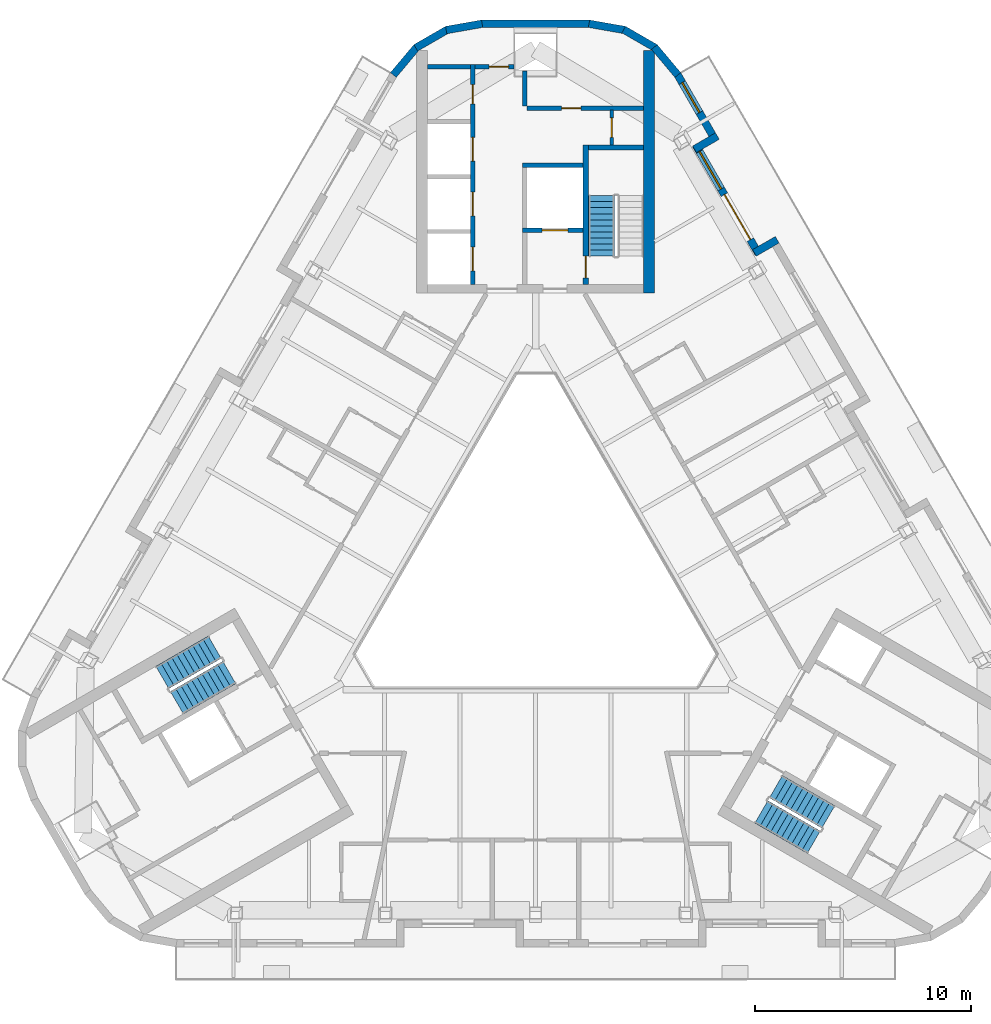
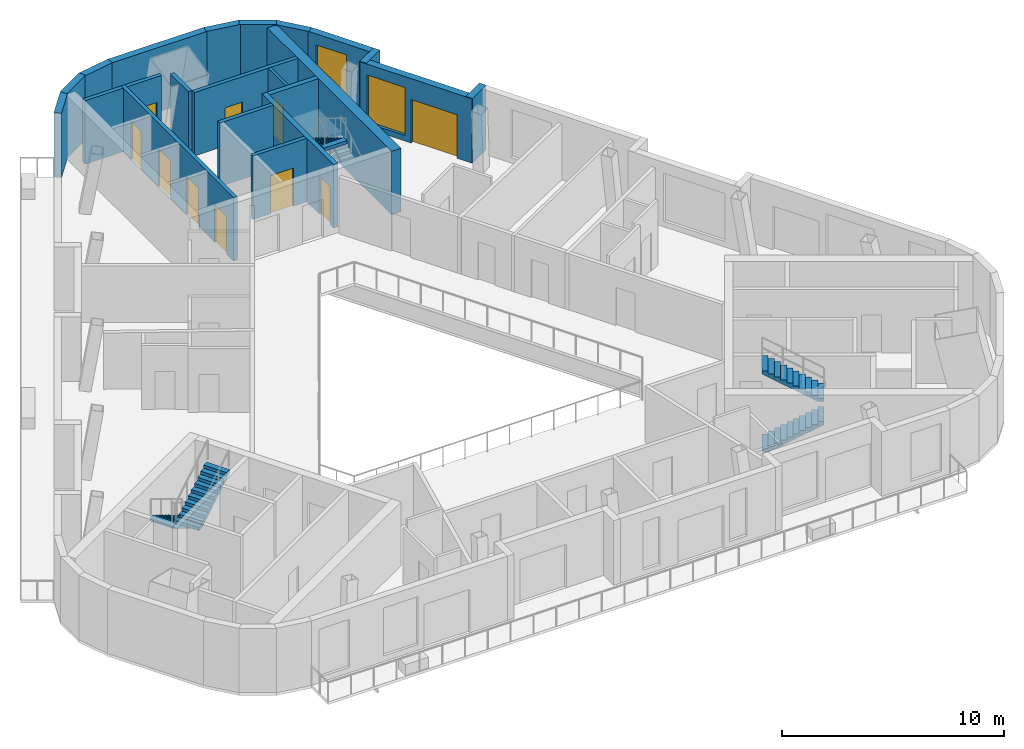
# One storey, part 7 of 13: 22 walls, 10 doors, 5 stair flights, 2 windows, 12 openings, 3 elements without a shape of their own.
"""IFC4 building model written with IfcOpenShell, lengths in metres."""

from ifc_helpers import new_model, si_unit, direction, frame, frame_2d, origin, place, context, subcontext, project, spatial, polyline, rectangle, outline, extrude, material, layer, layer_set, type_object, element, fill, aggregate, save


model = new_model("IFC4")

# Units and contexts
model_context = context("Model", 3, precision=1e-05, world=origin(), true_north=direction((0.0, 1.0)))
body_context = subcontext(model_context, "Body", "Model", "MODEL_VIEW")
ifc_project = project(units=[si_unit("LENGTHUNIT", "METRE"), si_unit("AREAUNIT", "SQUARE_METRE"), si_unit("VOLUMEUNIT", "CUBIC_METRE"), si_unit("PLANEANGLEUNIT", "RADIAN"), si_unit("MASSUNIT", "GRAM", prefix="KILO")], contexts=[model_context])

# Site, building, storey
site_placement = place(None, origin())
site = spatial("IfcSite", under=ifc_project, at=site_placement, CompositionType="ELEMENT")
building_placement = place(site_placement, origin())
building = spatial("IfcBuilding", under=site, at=building_placement, Name="Apuvela Tower Hotel", CompositionType="ELEMENT")
storey_placement = place(building_placement, frame((0.0, 0.0, 298.5)))
storey = spatial("IfcBuildingStorey", under=building, at=storey_placement, Name="L74", CompositionType="ELEMENT", Elevation=298.5)

# Wall
ifc_material_1 = material(Name="Concrete C50/60", Category="concrete")
ifc_layer_1 = layer(ifc_material_1, 0.5)
ifc_layer_set_1 = layer_set([ifc_layer_1], Name="COR-WALL-CORE-500")
wall_type_1 = type_object("IfcWallType", Name="COR-WALL-CORE-500", PredefinedType="SHEAR", material=ifc_layer_set_1)
wall_1_placement = place(storey_placement, frame((5.25, 12.89990234375, 0.0), z_axis=(0.0, 0.0, 1.0), x_axis=(0.0, 1.0, 0.0)))
element("IfcWall", 1, at=wall_1_placement, inside=storey, type_object=wall_type_1, Name="Core wall N", PredefinedType="SHEAR", context=body_context, shape_type="SweptSolid", body=[
    extrude(rectangle(XDim=11.2216796875, YDim=0.5, at=frame_2d((5.61083984375, 0.0))), origin(), (0.0, 0.0, 1.0), 3.5),
])

# Wall, opening, door
ifc_material_2 = material(Name="Blockwork 150 mm plastered", Category="masonry")
ifc_layer_2 = layer(ifc_material_2, 0.14990234375)
ifc_layer_set_2 = layer_set([ifc_layer_2], Name="COR-WALL-PART-150")
wall_type_2 = type_object("IfcWallType", Name="COR-WALL-PART-150", PredefinedType="PARTITIONING", material=ifc_layer_set_2)
wall_2_placement = place(storey_placement, frame((3.52490234375, 19.75, 0.0), z_axis=(0.0, 0.0, 1.0), x_axis=(0.0, 1.0, 0.0)))
wall_2 = element("IfcWall", 2, at=wall_2_placement, inside=storey, type_object=wall_type_2, Name="Partition N", PredefinedType="PARTITIONING", context=body_context, shape_type="SweptSolid", body=[
    extrude(rectangle(XDim=1.60009765625, YDim=0.14990234375, at=frame_2d((0.800048828125, 0.0))), origin(), (0.0, 0.0, 1.0), 3.5),
])
opening_1_placement = place(wall_2_placement, frame((0.35009765625, 0.0, 0.0)))
opening_1 = element("IfcOpeningElement", 3, at=opening_1_placement, cuts=wall_2, Name="Opening N-RD", PredefinedType="OPENING", context=body_context, shape_type="SweptSolid", body=[
    extrude(rectangle(XDim=0.89990234375, YDim=2.10009765625, at=frame_2d((0.449951171875, 1.050048828125))), frame((0.0, 0.0849609375, 0.0), z_axis=(0.0, -1.0, 0.0), x_axis=(1.0, 0.0, 0.0)), (0.0, 0.0, 1.0), 0.169921875),
])
ifc_material_3 = material(Name="Steel access door, powder coated", Category="steel")
door_type_1 = type_object("IfcDoorType", Name="COR-RD-900", OperationType="NOTDEFINED", PredefinedType="DOOR", material=ifc_material_3)
door_1_placement = place(opening_1_placement, frame((0.89990234375, 0.0, 0.0), z_axis=(0.0, 0.0, 1.0), x_axis=(-1.0, 0.0, 0.0)))
door_1 = element("IfcDoor", 4, at=door_1_placement, inside=storey, type_object=door_type_1, Name="Riser door N-RD", OperationType="SINGLE_SWING_RIGHT", OverallHeight=2.10009765625, OverallWidth=0.89990234375, PredefinedType="DOOR", context=body_context, shape_type="SweptSolid", body=[
    extrude(rectangle(XDim=0.89990234375, YDim=2.10009765625, at=frame_2d((0.449951171875, 1.050048828125))), frame((0.0, 0.02490234375, 0.0), z_axis=(0.0, -1.0, 0.0), x_axis=(1.0, 0.0, 0.0)), (0.0, 0.0, 1.0), 0.050048828125),
])
fill(opening_1, door_1)

ifc_material_4 = material(Name="Blockwork 200 mm plastered", Category="masonry")
ifc_layer_3 = layer(ifc_material_4, 0.199951171875)
ifc_layer_set_3 = layer_set([ifc_layer_3], Name="COR-WALL-PART-200")
wall_type_3 = type_object("IfcWallType", Name="COR-WALL-PART-200", PredefinedType="PARTITIONING", material=ifc_layer_set_3)
wall_3_placement = place(storey_placement, frame((5.0, 21.449951171875, 0.0), z_axis=(0.0, 0.0, 1.0), x_axis=(-1.0, 0.0, 0.0)))
wall_3 = element("IfcWall", 5, at=wall_3_placement, inside=storey, type_object=wall_type_3, Name="Partition N", PredefinedType="PARTITIONING", context=body_context, shape_type="SweptSolid", body=[
    extrude(rectangle(XDim=5.39990234375, YDim=0.199951171875, at=frame_2d((2.699951171875, 0.0))), origin(), (0.0, 0.0, 1.0), 3.5),
])
opening_2_placement = place(wall_3_placement, frame((2.89990234375, 0.0, 0.0)))
opening_2 = element("IfcOpeningElement", 6, at=opening_2_placement, cuts=wall_3, Name="Opening N-RS1", PredefinedType="OPENING", context=body_context, shape_type="SweptSolid", body=[
    extrude(rectangle(XDim=0.89990234375, YDim=2.10009765625, at=frame_2d((0.449951171875, 1.050048828125))), frame((0.0, 0.10986328125, 0.0), z_axis=(0.0, -1.0, 0.0), x_axis=(1.0, 0.0, 0.0)), (0.0, 0.0, 1.0), 0.219970703125),
])
ifc_material_5 = material(Name="Steel fire door, powder coated", Category="steel")
door_type_2 = type_object("IfcDoorType", Name="COR-DR-900", OperationType="NOTDEFINED", PredefinedType="DOOR", material=ifc_material_5)
door_2_placement = place(opening_2_placement, frame((0.89990234375, 0.0, 0.0), z_axis=(0.0, 0.0, 1.0), x_axis=(-1.0, 0.0, 0.0)))
door_2 = element("IfcDoor", 7, at=door_2_placement, inside=storey, type_object=door_type_2, Name="Store door N-RS1", OperationType="SINGLE_SWING_LEFT", OverallHeight=2.10009765625, OverallWidth=0.89990234375, PredefinedType="DOOR", context=body_context, shape_type="SweptSolid", body=[
    extrude(rectangle(XDim=0.89990234375, YDim=2.10009765625, at=frame_2d((0.449951171875, 1.050048828125))), frame((0.0, 0.02490234375, 0.0), z_axis=(0.0, -1.0, 0.0), x_axis=(1.0, 0.0, 0.0)), (0.0, 0.0, 1.0), 0.050048828125),
])
fill(opening_2, door_2)

# Wall
ifc_layer_4 = layer(ifc_material_1, 0.199951171875)
ifc_layer_set_4 = layer_set([ifc_layer_4], Name="COR-WALL-SHAFT-200")
wall_type_4 = type_object("IfcWallType", Name="COR-WALL-SHAFT-200", PredefinedType="SHEAR", material=ifc_layer_set_4)
wall_4_placement = place(storey_placement, frame((2.199951171875, 18.800048828125, 0.0), z_axis=(0.0, 0.0, 1.0), x_axis=(-1.0, 0.0, 0.0)))
element("IfcWall", 8, at=wall_4_placement, inside=storey, type_object=wall_type_4, Name="Shaft wall N", PredefinedType="SHEAR", context=body_context, shape_type="SweptSolid", body=[
    extrude(rectangle(XDim=2.800048828125, YDim=0.199951171875, at=frame_2d((1.39990234375, 0.0))), origin(), (0.0, 0.0, 1.0), 3.5),
])

# Wall, opening, door
wall_5_placement = place(storey_placement, frame((2.199951171875, 15.800048828125, 0.0), z_axis=(0.0, 0.0, 1.0), x_axis=(-1.0, 0.0, 0.0)))
wall_5 = element("IfcWall", 9, at=wall_5_placement, inside=storey, type_object=wall_type_4, Name="Shaft wall N", PredefinedType="SHEAR", context=body_context, shape_type="SweptSolid", body=[
    extrude(rectangle(XDim=2.800048828125, YDim=0.199951171875, at=frame_2d((1.39990234375, 0.0))), origin(), (0.0, 0.0, 1.0), 3.5),
])
opening_3_placement = place(wall_5_placement, frame((0.699951171875, 0.0, 0.0)))
opening_3 = element("IfcOpeningElement", 10, at=opening_3_placement, cuts=wall_5, Name="Opening N-LD-FS1", PredefinedType="OPENING", context=body_context, shape_type="SweptSolid", body=[
    extrude(rectangle(XDim=1.199951171875, YDim=2.10009765625, at=frame_2d((0.60009765625, 1.050048828125))), frame((0.0, 0.10986328125, 0.0), z_axis=(0.0, -1.0, 0.0), x_axis=(1.0, 0.0, 0.0)), (0.0, 0.0, 1.0), 0.219970703125),
])
ifc_material_6 = material(Name="Stainless steel lift landing door", Category="steel")
door_type_3 = type_object("IfcDoorType", Name="COR-LD-1200", OperationType="DOUBLE_DOOR_SLIDING", PredefinedType="DOOR", material=ifc_material_6)
door_3_placement = place(opening_3_placement, origin())
door_3 = element("IfcDoor", 11, at=door_3_placement, inside=storey, type_object=door_type_3, Name="Lift landing door N-LD-FS1", OperationType="DOUBLE_DOOR_SLIDING", OverallHeight=2.10009765625, OverallWidth=1.199951171875, PredefinedType="DOOR", context=body_context, shape_type="SweptSolid", body=[
    extrude(rectangle(XDim=1.199951171875, YDim=2.10009765625, at=frame_2d((0.60009765625, 1.050048828125))), frame((0.0, 0.02490234375, 0.0), z_axis=(0.0, -1.0, 0.0), x_axis=(1.0, 0.0, 0.0)), (0.0, 0.0, 1.0), 0.050048828125),
])
fill(opening_3, door_3)

# Wall, openings, doors
wall_6_placement = place(storey_placement, frame((-2.89990234375, 13.300048828125, 0.0), z_axis=(0.0, 0.0, 1.0), x_axis=(0.0, 1.0, 0.0)))
wall_6 = element("IfcWall", 12, at=wall_6_placement, inside=storey, type_object=wall_type_4, Name="Shaft wall N", PredefinedType="SHEAR", context=body_context, shape_type="SweptSolid", body=[
    extrude(rectangle(XDim=10.159912109375, YDim=0.199951171875, at=frame_2d((5.080078125, 0.0))), origin(), (0.0, 0.0, 1.0), 3.5),
])
opening_4_placement = place(wall_6_placement, frame((0.6201171875, 0.0, 0.0)))
opening_4 = element("IfcOpeningElement", 13, at=opening_4_placement, cuts=wall_6, Name="Opening N-LD-HR1", PredefinedType="OPENING", context=body_context, shape_type="SweptSolid", body=[
    extrude(rectangle(XDim=1.10009765625, YDim=2.10009765625, at=frame_2d((0.550048828125, 1.050048828125))), frame((0.0, 0.10986328125, 0.0), z_axis=(0.0, -1.0, 0.0), x_axis=(1.0, 0.0, 0.0)), (0.0, 0.0, 1.0), 0.219970703125),
])
opening_5_placement = place(wall_6_placement, frame((3.159912109375, 0.0, 0.0)))
opening_5 = element("IfcOpeningElement", 14, at=opening_5_placement, cuts=wall_6, Name="Opening N-LD-HR2", PredefinedType="OPENING", context=body_context, shape_type="SweptSolid", body=[
    extrude(rectangle(XDim=1.10009765625, YDim=2.10009765625, at=frame_2d((0.550048828125, 1.050048828125))), frame((0.0, 0.10986328125, 0.0), z_axis=(0.0, -1.0, 0.0), x_axis=(1.0, 0.0, 0.0)), (0.0, 0.0, 1.0), 0.219970703125),
])
opening_6_placement = place(wall_6_placement, frame((5.699951171875, 0.0, 0.0)))
opening_6 = element("IfcOpeningElement", 15, at=opening_6_placement, cuts=wall_6, Name="Opening N-LD-HR4", PredefinedType="OPENING", context=body_context, shape_type="SweptSolid", body=[
    extrude(rectangle(XDim=1.10009765625, YDim=2.10009765625, at=frame_2d((0.550048828125, 1.050048828125))), frame((0.0, 0.10986328125, 0.0), z_axis=(0.0, -1.0, 0.0), x_axis=(1.0, 0.0, 0.0)), (0.0, 0.0, 1.0), 0.219970703125),
])
opening_7_placement = place(wall_6_placement, frame((8.340087890625, 0.0, 0.0)))
opening_7 = element("IfcOpeningElement", 16, at=opening_7_placement, cuts=wall_6, Name="Opening N-RE4", PredefinedType="OPENING", context=body_context, shape_type="SweptSolid", body=[
    extrude(rectangle(XDim=0.89990234375, YDim=2.10009765625, at=frame_2d((0.449951171875, 1.050048828125))), frame((0.0, 0.10986328125, 0.0), z_axis=(0.0, -1.0, 0.0), x_axis=(1.0, 0.0, 0.0)), (0.0, 0.0, 1.0), 0.219970703125),
])
door_4_placement = place(opening_7_placement, origin())
door_4 = element("IfcDoor", 17, at=door_4_placement, inside=storey, type_object=door_type_2, Name="Store door N-RE4", OperationType="SINGLE_SWING_LEFT", OverallHeight=2.10009765625, OverallWidth=0.89990234375, PredefinedType="DOOR", context=body_context, shape_type="SweptSolid", body=[
    extrude(rectangle(XDim=0.89990234375, YDim=2.10009765625, at=frame_2d((0.449951171875, 1.050048828125))), frame((0.0, 0.02490234375, 0.0), z_axis=(0.0, -1.0, 0.0), x_axis=(1.0, 0.0, 0.0)), (0.0, 0.0, 1.0), 0.050048828125),
])
fill(opening_7, door_4)
door_type_4 = type_object("IfcDoorType", Name="COR-LD-1100", OperationType="DOUBLE_DOOR_SLIDING", PredefinedType="DOOR", material=ifc_material_6)
door_5_placement = place(opening_4_placement, origin())
door_5 = element("IfcDoor", 18, at=door_5_placement, inside=storey, type_object=door_type_4, Name="Lift landing door N-LD-HR1", OperationType="DOUBLE_DOOR_SLIDING", OverallHeight=2.10009765625, OverallWidth=1.10009765625, PredefinedType="DOOR", context=body_context, shape_type="SweptSolid", body=[
    extrude(rectangle(XDim=1.10009765625, YDim=2.10009765625, at=frame_2d((0.550048828125, 1.050048828125))), frame((0.0, 0.02490234375, 0.0), z_axis=(0.0, -1.0, 0.0), x_axis=(1.0, 0.0, 0.0)), (0.0, 0.0, 1.0), 0.050048828125),
])
fill(opening_4, door_5)
door_6_placement = place(opening_5_placement, origin())
door_6 = element("IfcDoor", 19, at=door_6_placement, inside=storey, type_object=door_type_4, Name="Lift landing door N-LD-HR2", OperationType="DOUBLE_DOOR_SLIDING", OverallHeight=2.10009765625, OverallWidth=1.10009765625, PredefinedType="DOOR", context=body_context, shape_type="SweptSolid", body=[
    extrude(rectangle(XDim=1.10009765625, YDim=2.10009765625, at=frame_2d((0.550048828125, 1.050048828125))), frame((0.0, 0.02490234375, 0.0), z_axis=(0.0, -1.0, 0.0), x_axis=(1.0, 0.0, 0.0)), (0.0, 0.0, 1.0), 0.050048828125),
])
fill(opening_5, door_6)
door_7_placement = place(opening_6_placement, origin())
door_7 = element("IfcDoor", 20, at=door_7_placement, inside=storey, type_object=door_type_4, Name="Lift landing door N-LD-HR4", OperationType="DOUBLE_DOOR_SLIDING", OverallHeight=2.10009765625, OverallWidth=1.10009765625, PredefinedType="DOOR", context=body_context, shape_type="SweptSolid", body=[
    extrude(rectangle(XDim=1.10009765625, YDim=2.10009765625, at=frame_2d((0.550048828125, 1.050048828125))), frame((0.0, 0.02490234375, 0.0), z_axis=(0.0, -1.0, 0.0), x_axis=(1.0, 0.0, 0.0)), (0.0, 0.0, 1.0), 0.050048828125),
])
fill(opening_6, door_7)

# Wall, opening, door
wall_7_placement = place(storey_placement, frame((-1.0, 23.360107421875, 0.0), z_axis=(0.0, 0.0, 1.0), x_axis=(-1.0, 0.0, 0.0)))
wall_7 = element("IfcWall", 21, at=wall_7_placement, inside=storey, type_object=wall_type_4, Name="Shaft wall N", PredefinedType="SHEAR", context=body_context, shape_type="SweptSolid", body=[
    extrude(rectangle(XDim=1.800048828125, YDim=0.199951171875, at=frame_2d((0.89990234375, 0.0))), origin(), (0.0, 0.0, 1.0), 3.5),
])
opening_8_placement = place(wall_7_placement, frame((0.25, 0.0, 0.0)))
opening_8 = element("IfcOpeningElement", 22, at=opening_8_placement, cuts=wall_7, Name="Opening N-REP", PredefinedType="OPENING", context=body_context, shape_type="SweptSolid", body=[
    extrude(rectangle(XDim=0.89990234375, YDim=2.10009765625, at=frame_2d((0.449951171875, 1.050048828125))), frame((0.0, 0.10986328125, 0.0), z_axis=(0.0, -1.0, 0.0), x_axis=(1.0, 0.0, 0.0)), (0.0, 0.0, 1.0), 0.219970703125),
])
door_8_placement = place(opening_8_placement, frame((0.89990234375, 0.0, 0.0), z_axis=(0.0, 0.0, 1.0), x_axis=(-1.0, 0.0, 0.0)))
door_8 = element("IfcDoor", 23, at=door_8_placement, inside=storey, type_object=door_type_2, Name="Store door N-REP", OperationType="SINGLE_SWING_LEFT", OverallHeight=2.10009765625, OverallWidth=0.89990234375, PredefinedType="DOOR", context=body_context, shape_type="SweptSolid", body=[
    extrude(rectangle(XDim=0.89990234375, YDim=2.10009765625, at=frame_2d((0.449951171875, 1.050048828125))), frame((0.0, 0.02490234375, 0.0), z_axis=(0.0, -1.0, 0.0), x_axis=(1.0, 0.0, 0.0)), (0.0, 0.0, 1.0), 0.050048828125),
])
fill(opening_8, door_8)

# Walls
wall_8_placement = place(storey_placement, frame((-0.5, 21.550048828125, 0.0), z_axis=(0.0, 0.0, 1.0), x_axis=(0.0, 1.0, 0.0)))
element("IfcWall", 24, at=wall_8_placement, inside=storey, type_object=wall_type_4, Name="Shaft wall N", PredefinedType="SHEAR", context=body_context, shape_type="SweptSolid", body=[
    extrude(rectangle(XDim=1.625, YDim=0.199951171875, at=frame_2d((0.8125, 0.0))), origin(), (0.0, 0.0, 1.0), 3.5),
])
wall_9_placement = place(storey_placement, frame((-3.0, 23.360107421875, 0.0), z_axis=(0.0, 0.0, 1.0), x_axis=(-1.0, 0.0, 0.0)))
element("IfcWall", 25, at=wall_9_placement, inside=storey, type_object=wall_type_4, Name="Shaft wall N", PredefinedType="SHEAR", context=body_context, shape_type="SweptSolid", body=[
    extrude(rectangle(XDim=2.0, YDim=0.199951171875, at=frame_2d((1.0, 0.0))), origin(), (0.0, 0.0, 1.0), 3.5),
])

# Wall, opening, door
ifc_layer_5 = layer(ifc_material_1, 0.25)
ifc_layer_set_5 = layer_set([ifc_layer_5], Name="COR-WALL-STAIR-250")
wall_type_5 = type_object("IfcWallType", Name="COR-WALL-STAIR-250", PredefinedType="SHEAR", material=ifc_layer_set_5)
wall_10_placement = place(storey_placement, frame((2.324951171875, 13.300048828125, 0.0), z_axis=(0.0, 0.0, 1.0), x_axis=(0.0, 1.0, 0.0)))
wall_10 = element("IfcWall", 26, at=wall_10_placement, inside=storey, type_object=wall_type_5, Name="Stair wall N", PredefinedType="SHEAR", context=body_context, shape_type="SweptSolid", body=[
    extrude(rectangle(XDim=6.449951171875, YDim=0.25, at=frame_2d((3.22509765625, 0.0))), origin(), (0.0, 0.0, 1.0), 3.5),
])
opening_9_placement = place(wall_10_placement, frame((0.300048828125, 0.0, 0.0)))
opening_9 = element("IfcOpeningElement", 27, at=opening_9_placement, cuts=wall_10, Name="Opening N-SD", PredefinedType="OPENING", context=body_context, shape_type="SweptSolid", body=[
    extrude(rectangle(XDim=1.0, YDim=2.10009765625, at=frame_2d((0.5, 1.050048828125))), frame((0.0, 0.135009765625, 0.0), z_axis=(0.0, -1.0, 0.0), x_axis=(1.0, 0.0, 0.0)), (0.0, 0.0, 1.0), 0.27001953125),
])
door_type_5 = type_object("IfcDoorType", Name="COR-SD-1000", OperationType="NOTDEFINED", PredefinedType="DOOR", material=ifc_material_5)
door_9_placement = place(opening_9_placement, frame((1.0, 0.0, 0.0), z_axis=(0.0, 0.0, 1.0), x_axis=(-1.0, 0.0, 0.0)))
door_9 = element("IfcDoor", 28, at=door_9_placement, inside=storey, type_object=door_type_5, Name="Stair door N-SD", OperationType="SINGLE_SWING_LEFT", OverallHeight=2.10009765625, OverallWidth=1.0, PredefinedType="DOOR", context=body_context, shape_type="SweptSolid", body=[
    extrude(rectangle(XDim=1.0, YDim=2.10009765625, at=frame_2d((0.5, 1.050048828125))), frame((0.0, 0.02490234375, 0.0), z_axis=(0.0, -1.0, 0.0), x_axis=(1.0, 0.0, 0.0)), (0.0, 0.0, 1.0), 0.050048828125),
])
fill(opening_9, door_9)

# Walls
wall_11_placement = place(storey_placement, frame((5.0, 19.625, 0.0), z_axis=(0.0, 0.0, 1.0), x_axis=(-1.0, 0.0, 0.0)))
element("IfcWall", 29, at=wall_11_placement, inside=storey, type_object=wall_type_5, Name="Stair wall N", PredefinedType="SHEAR", context=body_context, shape_type="SweptSolid", body=[
    extrude(rectangle(XDim=2.550048828125, YDim=0.25, at=frame_2d((1.27490234375, 0.0))), origin(), (0.0, 0.0, 1.0), 3.5),
])
ifc_material_7 = material(Name="Concrete C40/50, dark pigmented precast panel", Category="concrete")
ifc_layer_6 = layer(ifc_material_7, 0.35009765625)
ifc_layer_set_6 = layer_set([ifc_layer_6], Name="ENV-WALL-350")
wall_type_6 = type_object("IfcWallType", Name="ENV-WALL-350", PredefinedType="SOLIDWALL", material=ifc_layer_set_6)
wall_12_placement = place(storey_placement, frame((11.1796875, 15.35986328125, 0.0), z_axis=(0.0, 0.0, 1.0), x_axis=(-0.866055662726, -0.499947586314, 0.0)))
element("IfcWall", 30, at=wall_12_placement, inside=storey, type_object=wall_type_6, Name="External wall L74-38", PredefinedType="SOLIDWALL", context=body_context, shape_type="SweptSolid", body=[
    extrude(rectangle(XDim=1.220458984375, YDim=0.35009765625, at=frame_2d((0.6103515625, 0.0))), origin(), (0.0, 0.0, 1.0), 3.550048828125),
])

# Wall, openings, door, window
wall_13_placement = place(storey_placement, frame((10.321044921875, 14.69677734375, 0.0), z_axis=(0.0, 0.0, 1.0), x_axis=(-0.500005339912, 0.866022320763, 0.0)))
wall_13 = element("IfcWall", 31, at=wall_13_placement, inside=storey, type_object=wall_type_6, Name="External wall L74-39", PredefinedType="SOLIDWALL", context=body_context, shape_type="SweptSolid", body=[
    extrude(rectangle(XDim=5.8271484375, YDim=0.35009765625, at=frame_2d((2.91357421875, 0.0))), origin(), (0.0, 0.0, 1.0), 3.550048828125),
])
opening_10_placement = place(wall_13_placement, frame((0.77001953125, 0.0, 0.0)))
opening_10 = element("IfcOpeningElement", 32, at=opening_10_placement, cuts=wall_13, Name="Opening BD24", PredefinedType="OPENING", context=body_context, shape_type="SweptSolid", body=[
    extrude(rectangle(XDim=2.39990234375, YDim=2.39990234375, at=frame_2d((1.199951171875, 1.199951171875))), frame((0.0, 0.18505859375, 0.0), z_axis=(0.0, -1.0, 0.0), x_axis=(1.0, 0.0, 0.0)), (0.0, 0.0, 1.0), 0.3701171875),
])
opening_11_placement = place(wall_13_placement, frame((3.469970703125, 0.0, 0.300048828125)))
opening_11 = element("IfcOpeningElement", 33, at=opening_11_placement, cuts=wall_13, Name="Opening WN20", PredefinedType="OPENING", context=body_context, shape_type="SweptSolid", body=[
    extrude(rectangle(XDim=2.0, YDim=2.64990234375, at=frame_2d((1.0, 1.324951171875))), frame((0.0, 0.18505859375, 0.0), z_axis=(0.0, -1.0, 0.0), x_axis=(1.0, 0.0, 0.0)), (0.0, 0.0, 1.0), 0.3701171875),
])
ifc_material_8 = material(Name="Aluminium 6063-T6, dark bronze anodised frame with dark tinted laminated glass", Category="aluminium")
door_type_6 = type_object("IfcDoorType", Name="ENV-DOOR-BALCONY-2400x2400", OperationType="SLIDING_TO_LEFT", PredefinedType="DOOR", material=ifc_material_8)
door_10_placement = place(opening_10_placement, frame((2.39990234375, 0.0, 0.0), z_axis=(0.0, 0.0, 1.0), x_axis=(-1.0, 0.0, 0.0)))
door_10 = element("IfcDoor", 34, at=door_10_placement, inside=storey, type_object=door_type_6, Name="Balcony door BD24", OperationType="SLIDING_TO_LEFT", OverallHeight=2.39990234375, OverallWidth=2.39990234375, PredefinedType="DOOR", context=body_context, shape_type="SweptSolid", body=[
    extrude(rectangle(XDim=2.39990234375, YDim=2.39990234375, at=frame_2d((1.199951171875, 1.199951171875))), frame((0.0, 0.02490234375, 0.0), z_axis=(0.0, -1.0, 0.0), x_axis=(1.0, 0.0, 0.0)), (0.0, 0.0, 1.0), 0.050048828125),
])
fill(opening_10, door_10)
ifc_material_9 = material(Name="Glass, dark tinted laminated insulated glazing unit", Category="glass")
window_type_1 = type_object("IfcWindowType", Name="ENV-WIN-2000x2650", PartitioningType="SINGLE_PANEL", PredefinedType="WINDOW", material=ifc_material_9)
window_1_placement = place(opening_11_placement, origin())
window_1 = element("IfcWindow", 35, at=window_1_placement, inside=storey, type_object=window_type_1, Name="Window WN20", OverallHeight=2.64990234375, OverallWidth=2.0, PartitioningType="SINGLE_PANEL", PredefinedType="WINDOW", context=body_context, shape_type="SweptSolid", body=[
    extrude(rectangle(XDim=2.0, YDim=2.64990234375, at=frame_2d((1.0, 1.324951171875))), frame((0.0, 0.030029296875, 0.0), z_axis=(0.0, -1.0, 0.0), x_axis=(1.0, 0.0, 0.0)), (0.0, 0.0, 1.0), 0.06005859375),
])
fill(opening_11, window_1)

# Wall
wall_14_placement = place(storey_placement, frame((7.3544921875, 19.544921875, 0.0), z_axis=(0.0, 0.0, 1.0), x_axis=(0.865955602162, 0.500120880472, 0.0)))
element("IfcWall", 36, at=wall_14_placement, inside=storey, type_object=wall_type_6, Name="External wall L74-40", PredefinedType="SOLIDWALL", context=body_context, shape_type="SweptSolid", body=[
    extrude(rectangle(XDim=1.219970703125, YDim=0.35009765625, at=frame_2d((0.60986328125, 0.0))), origin(), (0.0, 0.0, 1.0), 3.550048828125),
])

# Wall, opening, window
wall_15_placement = place(storey_placement, frame((8.346923828125, 19.916015625, 0.0), z_axis=(0.0, 0.0, 1.0), x_axis=(-0.500010763282, 0.866019189511, 0.0)))
wall_15 = element("IfcWall", 37, at=wall_15_placement, inside=storey, type_object=wall_type_6, Name="External wall L74-41", PredefinedType="SOLIDWALL", context=body_context, shape_type="SweptSolid", body=[
    extrude(rectangle(XDim=3.5673828125, YDim=0.35009765625, at=frame_2d((1.78369140625, 0.0))), origin(), (0.0, 0.0, 1.0), 3.550048828125),
])
opening_12_placement = place(wall_15_placement, frame((1.530029296875, 0.0, 0.300048828125)))
opening_12 = element("IfcOpeningElement", 38, at=opening_12_placement, cuts=wall_15, Name="Opening WN16", PredefinedType="OPENING", context=body_context, shape_type="SweptSolid", body=[
    extrude(rectangle(XDim=1.60009765625, YDim=2.64990234375, at=frame_2d((0.800048828125, 1.324951171875))), frame((0.0, 0.18505859375, 0.0), z_axis=(0.0, -1.0, 0.0), x_axis=(1.0, 0.0, 0.0)), (0.0, 0.0, 1.0), 0.3701171875),
])
window_type_2 = type_object("IfcWindowType", Name="ENV-WIN-1600x2650", PartitioningType="SINGLE_PANEL", PredefinedType="WINDOW", material=ifc_material_9)
window_2_placement = place(opening_12_placement, origin())
window_2 = element("IfcWindow", 39, at=window_2_placement, inside=storey, type_object=window_type_2, Name="Window WN16", OverallHeight=2.64990234375, OverallWidth=1.60009765625, PartitioningType="SINGLE_PANEL", PredefinedType="WINDOW", context=body_context, shape_type="SweptSolid", body=[
    extrude(rectangle(XDim=1.60009765625, YDim=2.64990234375, at=frame_2d((0.800048828125, 1.324951171875))), frame((0.0, 0.030029296875, 0.0), z_axis=(0.0, -1.0, 0.0), x_axis=(1.0, 0.0, 0.0)), (0.0, 0.0, 1.0), 0.06005859375),
])
fill(opening_12, window_2)

# Walls
for number, where, z_axis, x_axis, name in (
    (40, (6.580810546875, 22.980224609375, 0.0), (0.0, 0.0, 1.0), (-0.64278191564, 0.766049220955, 0.0), "External wall L74-42"),
    (41, (5.54150390625, 24.235595703125, 0.0), (0.0, 0.0, 1.0), (-0.86609173884, 0.499885086709, 0.0), "External wall L74-43"),
    (42, (4.135498046875, 25.059326171875, 0.0), (0.0, 0.0, 1.0), (-0.984799556842, 0.173694654046, 0.0), "External wall L74-44"),
):
    element("IfcWall", number, at=place(storey_placement, frame(where, z_axis=z_axis, x_axis=x_axis)), inside=storey, type_object=wall_type_6, Name=name, PredefinedType="SOLIDWALL", context=body_context, shape_type="SweptSolid", body=[
        extrude(rectangle(XDim=1.689453125, YDim=0.35009765625, at=frame_2d((0.8447265625, 0.0))), origin(), (0.0, 0.0, 1.0), 3.550048828125),
    ])
wall_16_placement = place(storey_placement, frame((2.502197265625, 25.35009765625, 0.0), z_axis=(0.0, 0.0, 1.0), x_axis=(-1.0, 0.0, 0.0)))
element("IfcWall", 43, at=wall_16_placement, inside=storey, type_object=wall_type_6, Name="External wall L74-45", PredefinedType="SOLIDWALL", context=body_context, shape_type="SweptSolid", body=[
    extrude(rectangle(XDim=5.00439453125, YDim=0.35009765625, at=frame_2d((2.502197265625, 0.0))), origin(), (0.0, 0.0, 1.0), 3.550048828125),
])
for number, where, z_axis, x_axis, name in (
    (44, (-2.4716796875, 25.352783203125, 0.0), (0.0, 0.0, 1.0), (-0.984799556842, -0.173694654046, 0.0), "External wall L74-46"),
    (45, (-4.078369140625, 25.080078125, 0.0), (0.0, 0.0, 1.0), (-0.86609173884, -0.499885086709, 0.0), "External wall L74-47"),
    (46, (-5.494873046875, 24.2744140625, 0.0), (0.0, 0.0, 1.0), (-0.64278191564, -0.766049220955, 0.0), "External wall L74-48"),
):
    element("IfcWall", number, at=place(storey_placement, frame(where, z_axis=z_axis, x_axis=x_axis)), inside=storey, type_object=wall_type_6, Name=name, PredefinedType="SOLIDWALL", context=body_context, shape_type="SweptSolid", body=[
        extrude(rectangle(XDim=1.689453125, YDim=0.35009765625, at=frame_2d((0.8447265625, 0.0))), origin(), (0.0, 0.0, 1.0), 3.550048828125),
    ])

# Stair, stair flight
stair_type = type_object("IfcStairType", Name="COR-STAIR-22R", PredefinedType="HALF_TURN_STAIR", material=ifc_material_1)
stair_1_placement = place(storey_placement, origin())
stair_1 = element("IfcStair", 47, at=stair_1_placement, inside=storey, type_object=stair_type, Name="L74 Exit stair ST1", PredefinedType="HALF_TURN_STAIR")
stair_flight_type = type_object("IfcStairFlightType", Name="COR-FLIGHT-11R", PredefinedType="STRAIGHT", material=ifc_material_1)
stair_flight_1_placement = place(storey_placement, frame((3.050048828125, 17.39990234375, 1.85009765625), z_axis=(0.0, 0.0, 1.0), x_axis=(0.0, -1.0, 0.0)))
stair_flight_1 = element("IfcStairFlight", 48, at=stair_flight_1_placement, type_object=stair_flight_type, Name="ST1 flight 2", NumberOfRisers=11, NumberOfTreads=10, PredefinedType="STRAIGHT", RiserHeight=0.168181818, TreadLength=0.28, context=body_context, shape_type="SweptSolid", body=[
    extrude(outline(polyline([(0.0, 0.0), (0.0, 0.168212890625), (0.280029296875, 0.168212890625), (0.280029296875, 0.33642578125), (0.56005859375, 0.33642578125), (0.56005859375, 0.504638671875), (0.840087890625, 0.504638671875), (0.840087890625, 0.672607421875), (1.1201171875, 0.672607421875), (1.1201171875, 0.8408203125), (1.39990234375, 0.8408203125), (1.39990234375, 1.009033203125), (1.679931640625, 1.009033203125), (1.679931640625, 1.17724609375), (1.9599609375, 1.17724609375), (1.9599609375, 1.345458984375), (2.239990234375, 1.345458984375), (2.239990234375, 1.513671875), (2.52001953125, 1.513671875), (2.52001953125, 1.681884765625), (2.800048828125, 1.681884765625), (2.800048828125, 1.85009765625), (2.800048828125, 1.5068359375), (0.291015625, 0.0), (0.0, 0.0)])), frame((0.0, 0.60009765625, 0.0), z_axis=(0.0, -1.0, 0.0), x_axis=(1.0, 0.0, 0.0)), (0.0, 0.0, 1.0), 1.199951171875),
])
aggregate(stair_1, [stair_flight_1])

# Stair, stair flights
stair_2_placement = place(storey_placement, origin())
stair_2 = element("IfcStair", 49, at=stair_2_placement, inside=storey, type_object=stair_type, Name="L74 Exit stair ST2", PredefinedType="HALF_TURN_STAIR")
stair_flight_2_placement = place(storey_placement, frame((-14.843994140625, -3.489501953125, 0.0), z_axis=(0.0, 0.0, 1.0), x_axis=(-0.866025403784, -0.5, 0.0)))
stair_flight_2 = element("IfcStairFlight", 50, at=stair_flight_2_placement, type_object=stair_flight_type, Name="ST2 flight 1", NumberOfRisers=11, NumberOfTreads=10, PredefinedType="STRAIGHT", RiserHeight=0.168181818, TreadLength=0.28, context=body_context, shape_type="SweptSolid", body=[
    extrude(outline(polyline([(0.0, 0.0), (0.0, 0.168212890625), (0.280029296875, 0.168212890625), (0.280029296875, 0.33642578125), (0.56005859375, 0.33642578125), (0.56005859375, 0.504638671875), (0.840087890625, 0.504638671875), (0.840087890625, 0.672607421875), (1.1201171875, 0.672607421875), (1.1201171875, 0.8408203125), (1.39990234375, 0.8408203125), (1.39990234375, 1.009033203125), (1.679931640625, 1.009033203125), (1.679931640625, 1.17724609375), (1.9599609375, 1.17724609375), (1.9599609375, 1.345458984375), (2.239990234375, 1.345458984375), (2.239990234375, 1.513671875), (2.52001953125, 1.513671875), (2.52001953125, 1.681884765625), (2.800048828125, 1.681884765625), (2.800048828125, 1.85009765625), (2.800048828125, 1.5068359375), (0.291015625, 0.0), (0.0, 0.0)])), frame((0.0, 0.60009765625, 0.0), z_axis=(0.0, -1.0, 0.0), x_axis=(1.0, 0.0, 0.0)), (0.0, 0.0, 1.0), 1.199951171875),
])
stair_flight_3_placement = place(storey_placement, frame((-16.59375, -6.05859375, 1.85009765625), z_axis=(0.0, 0.0, 1.0), x_axis=(0.866025403784, 0.5, 0.0)))
stair_flight_3 = element("IfcStairFlight", 51, at=stair_flight_3_placement, type_object=stair_flight_type, Name="ST2 flight 2", NumberOfRisers=11, NumberOfTreads=10, PredefinedType="STRAIGHT", RiserHeight=0.168181818, TreadLength=0.28, context=body_context, shape_type="SweptSolid", body=[
    extrude(outline(polyline([(0.0, 0.0), (0.0, 0.168212890625), (0.280029296875, 0.168212890625), (0.280029296875, 0.33642578125), (0.56005859375, 0.33642578125), (0.56005859375, 0.504638671875), (0.840087890625, 0.504638671875), (0.840087890625, 0.672607421875), (1.1201171875, 0.672607421875), (1.1201171875, 0.8408203125), (1.39990234375, 0.8408203125), (1.39990234375, 1.009033203125), (1.679931640625, 1.009033203125), (1.679931640625, 1.17724609375), (1.9599609375, 1.17724609375), (1.9599609375, 1.345458984375), (2.239990234375, 1.345458984375), (2.239990234375, 1.513671875), (2.52001953125, 1.513671875), (2.52001953125, 1.681884765625), (2.800048828125, 1.681884765625), (2.800048828125, 1.85009765625), (2.800048828125, 1.5068359375), (0.291015625, 0.0), (0.0, 0.0)])), frame((0.0, 0.60009765625, 0.0), z_axis=(0.0, -1.0, 0.0), x_axis=(1.0, 0.0, 0.0)), (0.0, 0.0, 1.0), 1.199951171875),
])
aggregate(stair_2, [stair_flight_2, stair_flight_3])

stair_3_placement = place(storey_placement, origin())
stair_3 = element("IfcStair", 52, at=stair_3_placement, inside=storey, type_object=stair_type, Name="L74 Exit stair ST3", PredefinedType="HALF_TURN_STAIR")
stair_flight_4_placement = place(storey_placement, frame((10.444091796875, -11.110595703125, 0.0), z_axis=(0.0, 0.0, 1.0), x_axis=(0.866025403784, -0.5, 0.0)))
stair_flight_4 = element("IfcStairFlight", 53, at=stair_flight_4_placement, type_object=stair_flight_type, Name="ST3 flight 1", NumberOfRisers=11, NumberOfTreads=10, PredefinedType="STRAIGHT", RiserHeight=0.168181818, TreadLength=0.28, context=body_context, shape_type="SweptSolid", body=[
    extrude(outline(polyline([(0.0, 0.0), (0.0, 0.168212890625), (0.280029296875, 0.168212890625), (0.280029296875, 0.33642578125), (0.56005859375, 0.33642578125), (0.56005859375, 0.504638671875), (0.840087890625, 0.504638671875), (0.840087890625, 0.672607421875), (1.1201171875, 0.672607421875), (1.1201171875, 0.8408203125), (1.39990234375, 0.8408203125), (1.39990234375, 1.009033203125), (1.679931640625, 1.009033203125), (1.679931640625, 1.17724609375), (1.9599609375, 1.17724609375), (1.9599609375, 1.345458984375), (2.239990234375, 1.345458984375), (2.239990234375, 1.513671875), (2.52001953125, 1.513671875), (2.52001953125, 1.681884765625), (2.800048828125, 1.681884765625), (2.800048828125, 1.85009765625), (2.800048828125, 1.5068359375), (0.291015625, 0.0), (0.0, 0.0)])), frame((0.0, 0.60009765625, 0.0), z_axis=(0.0, -1.0, 0.0), x_axis=(1.0, 0.0, 0.0)), (0.0, 0.0, 1.0), 1.199951171875),
])
stair_flight_5_placement = place(storey_placement, frame((13.5439453125, -11.34130859375, 1.85009765625), z_axis=(0.0, 0.0, 1.0), x_axis=(-0.866025403784, 0.5, 0.0)))
stair_flight_5 = element("IfcStairFlight", 54, at=stair_flight_5_placement, type_object=stair_flight_type, Name="ST3 flight 2", NumberOfRisers=11, NumberOfTreads=10, PredefinedType="STRAIGHT", RiserHeight=0.168181818, TreadLength=0.28, context=body_context, shape_type="SweptSolid", body=[
    extrude(outline(polyline([(0.0, 0.0), (0.0, 0.168212890625), (0.280029296875, 0.168212890625), (0.280029296875, 0.33642578125), (0.56005859375, 0.33642578125), (0.56005859375, 0.504638671875), (0.840087890625, 0.504638671875), (0.840087890625, 0.672607421875), (1.1201171875, 0.672607421875), (1.1201171875, 0.8408203125), (1.39990234375, 0.8408203125), (1.39990234375, 1.009033203125), (1.679931640625, 1.009033203125), (1.679931640625, 1.17724609375), (1.9599609375, 1.17724609375), (1.9599609375, 1.345458984375), (2.239990234375, 1.345458984375), (2.239990234375, 1.513671875), (2.52001953125, 1.513671875), (2.52001953125, 1.681884765625), (2.800048828125, 1.681884765625), (2.800048828125, 1.85009765625), (2.800048828125, 1.5068359375), (0.291015625, 0.0), (0.0, 0.0)])), frame((0.0, 0.60009765625, 0.0), z_axis=(0.0, -1.0, 0.0), x_axis=(1.0, 0.0, 0.0)), (0.0, 0.0, 1.0), 1.199951171875),
])
aggregate(stair_3, [stair_flight_4, stair_flight_5])

save(model, "model.ifc")
